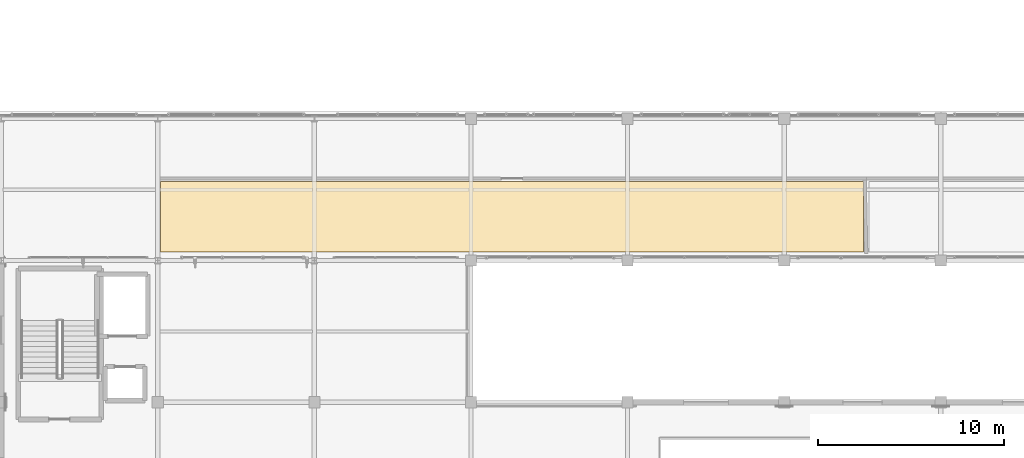
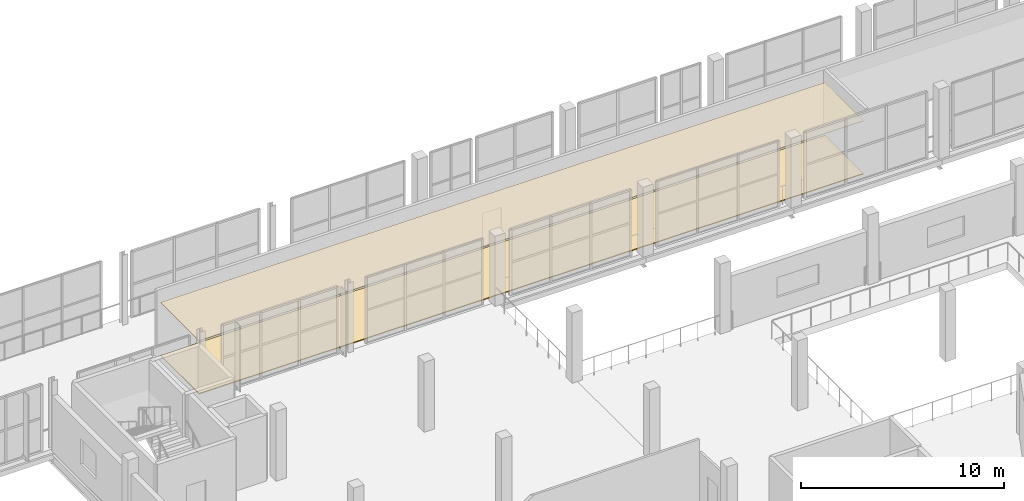
# One storey, part 140 of 151: 2 coverings.
"""IFC4 building model written with IfcOpenShell, lengths in metres."""

from ifc_helpers import new_model, si_unit, direction, frame, origin, place, context, subcontext, project, spatial, polyline, outline, extrude, material, layer, layer_set, type_object, element, save


model = new_model("IFC4")

# Units and contexts
model_context = context("Model", 3, precision=1e-05, world=origin(), true_north=direction((0.0, 1.0)))
body_context = subcontext(model_context, "Body", "Model", "MODEL_VIEW")
ifc_project = project(units=[si_unit("LENGTHUNIT", "METRE"), si_unit("AREAUNIT", "SQUARE_METRE"), si_unit("VOLUMEUNIT", "CUBIC_METRE"), si_unit("PLANEANGLEUNIT", "RADIAN"), si_unit("MASSUNIT", "GRAM", prefix="KILO")], contexts=[model_context])

# Site, building, storey
site_placement = place(None, origin())
site = spatial("IfcSite", under=ifc_project, at=site_placement, CompositionType="ELEMENT")
building_placement = place(site_placement, origin())
building = spatial("IfcBuilding", under=site, at=building_placement, Name="Zuvorla Pavilion Media Centre", CompositionType="ELEMENT")
storey_placement = place(building_placement, frame((0.0, 0.0, 13.800048828125)))
storey = spatial("IfcBuildingStorey", under=building, at=storey_placement, Name="L03", CompositionType="ELEMENT", Elevation=13.800048828125)

# Coverings
ifc_material_1 = material(Name="Perforated gypsum acoustic studio ceiling")
ifc_layer_1 = layer(ifc_material_1, 0.0400390625)
ifc_layer_set_1 = layer_set([ifc_layer_1], Name="Perforated gypsum acoustic studio ceiling")
covering_type_1 = type_object("IfcCoveringType", Name="COV-CLG-ACOUST", PredefinedType="CEILING", material=ifc_layer_set_1)
covering_1_placement = place(storey_placement, frame((0.0, 0.0, 3.179931640625)))
element("IfcCovering", 1, at=covering_1_placement, inside=storey, type_object=covering_type_1, Name="L03 acoustic ceiling 7", PredefinedType="CEILING", context=body_context, shape_type="SweptSolid", body=[
    extrude(outline(polyline([(66.4365234375, 44.449951171875), (50.14990234375, 44.449951171875), (50.14990234375, 48.239990234375), (87.85009765625, 48.239990234375), (87.85009765625, 44.449951171875), (83.96337890625, 44.449951171875), (83.95361328125, 44.45361328125), (83.939208984375, 44.45703125), (83.9248046875, 44.459228515625), (83.909912109375, 44.4599609375), (83.2900390625, 44.4599609375), (83.275390625, 44.459228515625), (83.2607421875, 44.45703125), (83.24658203125, 44.45361328125), (83.236572265625, 44.449951171875), (75.5634765625, 44.449951171875), (75.553466796875, 44.45361328125), (75.539306640625, 44.45703125), (75.524658203125, 44.459228515625), (75.510009765625, 44.4599609375), (74.889892578125, 44.4599609375), (74.875244140625, 44.459228515625), (74.860595703125, 44.45703125), (74.846435546875, 44.45361328125), (74.836669921875, 44.449951171875), (67.163330078125, 44.449951171875), (67.153564453125, 44.45361328125), (67.139404296875, 44.45703125), (67.124755859375, 44.459228515625), (67.110107421875, 44.4599609375), (66.489990234375, 44.4599609375), (66.475341796875, 44.459228515625), (66.460693359375, 44.45703125), (66.446533203125, 44.45361328125), (66.4365234375, 44.449951171875)])), origin(), (0.0, 0.0, 1.0), 0.0400390625),
])
ifc_material_2 = material(Name="Floating resilient acoustic hardwood studio floor", Category="wood")
ifc_layer_2 = layer(ifc_material_2, 0.050048828125)
ifc_layer_set_2 = layer_set([ifc_layer_2], Name="Floating resilient acoustic hardwood studio floor")
covering_type_2 = type_object("IfcCoveringType", Name="COV-FLR-ACOUST", PredefinedType="FLOORING", material=ifc_layer_set_2)
covering_2_placement = place(storey_placement, origin())
element("IfcCovering", 2, at=covering_2_placement, inside=storey, type_object=covering_type_2, Name="L03 acoustic studio floor 11", PredefinedType="FLOORING", context=body_context, shape_type="SweptSolid", body=[
    extrude(outline(polyline([(66.4365234375, 44.449951171875), (50.14990234375, 44.449951171875), (50.14990234375, 48.239990234375), (87.85009765625, 48.239990234375), (87.85009765625, 44.449951171875), (83.96337890625, 44.449951171875), (83.95361328125, 44.45361328125), (83.939208984375, 44.45703125), (83.9248046875, 44.459228515625), (83.909912109375, 44.4599609375), (83.2900390625, 44.4599609375), (83.275390625, 44.459228515625), (83.2607421875, 44.45703125), (83.24658203125, 44.45361328125), (83.236572265625, 44.449951171875), (75.5634765625, 44.449951171875), (75.553466796875, 44.45361328125), (75.539306640625, 44.45703125), (75.524658203125, 44.459228515625), (75.510009765625, 44.4599609375), (74.889892578125, 44.4599609375), (74.875244140625, 44.459228515625), (74.860595703125, 44.45703125), (74.846435546875, 44.45361328125), (74.836669921875, 44.449951171875), (67.163330078125, 44.449951171875), (67.153564453125, 44.45361328125), (67.139404296875, 44.45703125), (67.124755859375, 44.459228515625), (67.110107421875, 44.4599609375), (66.489990234375, 44.4599609375), (66.475341796875, 44.459228515625), (66.460693359375, 44.45703125), (66.446533203125, 44.45361328125), (66.4365234375, 44.449951171875)])), origin(), (0.0, 0.0, 1.0), 0.050048828125),
])

save(model, "model.ifc")
